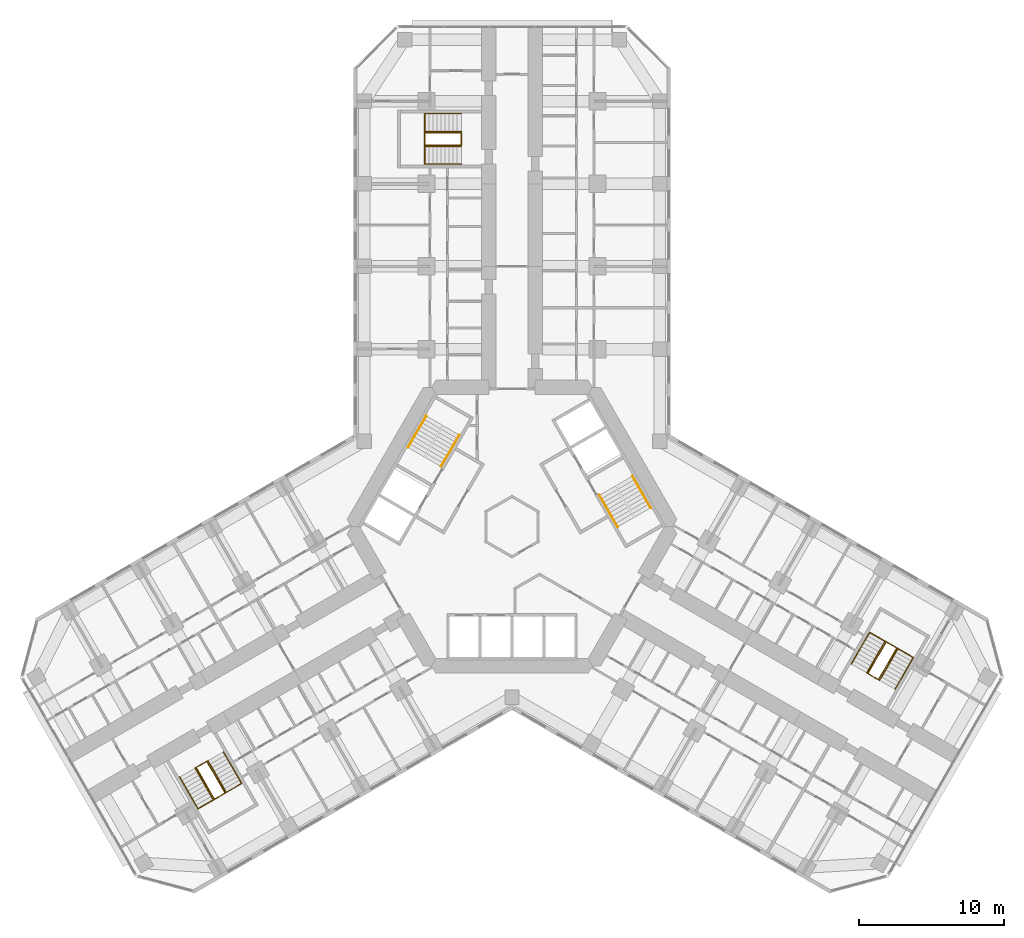
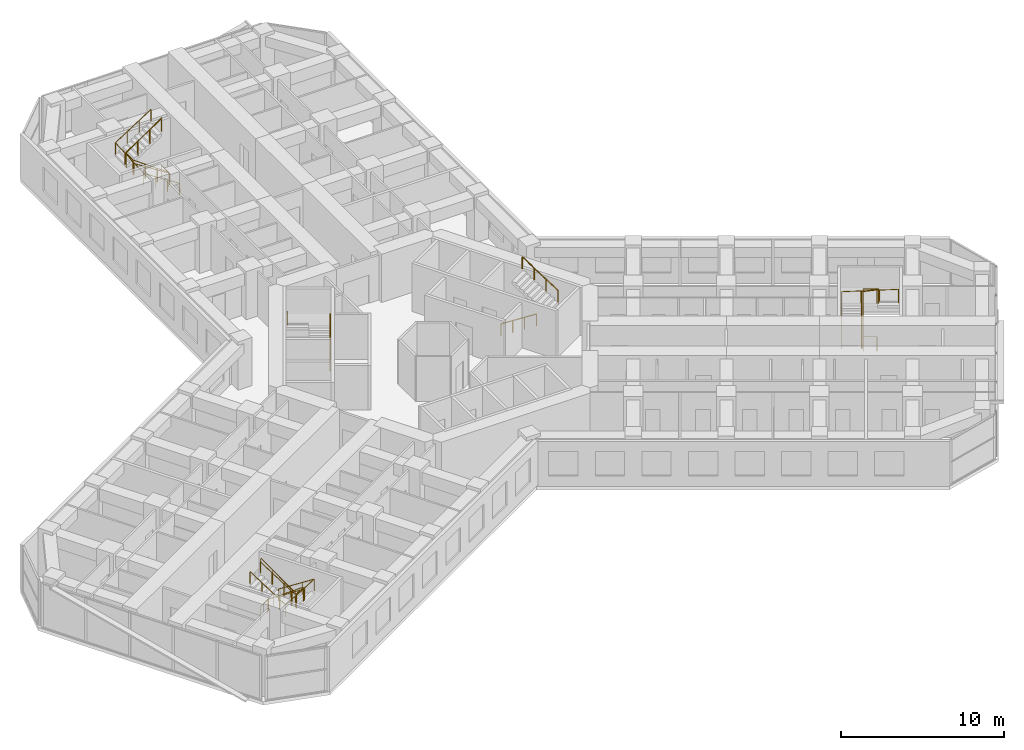
# One storey, part 21 of 21: 13 railings.
"""IFC4 building model written with IfcOpenShell, lengths in metres."""

from ifc_helpers import new_model, si_unit, direction, frame, origin, origin_2d, place, context, subcontext, project, spatial, circle, extrude, material, type_object, element, save


model = new_model("IFC4")

# Units and contexts
model_context = context("Model", 3, precision=1e-05, world=origin(), true_north=direction((0.0, 1.0)))
body_context = subcontext(model_context, "Body", "Model", "MODEL_VIEW")
ifc_project = project(units=[si_unit("LENGTHUNIT", "METRE"), si_unit("AREAUNIT", "SQUARE_METRE"), si_unit("VOLUMEUNIT", "CUBIC_METRE"), si_unit("PLANEANGLEUNIT", "RADIAN"), si_unit("MASSUNIT", "GRAM", prefix="KILO")], contexts=[model_context])

# Site, building, storey
site_placement = place(None, origin())
site = spatial("IfcSite", under=ifc_project, at=site_placement, CompositionType="ELEMENT")
building_placement = place(site_placement, origin())
building = spatial("IfcBuilding", under=site, at=building_placement, Name="Kosmar Iwan School Tower", CompositionType="ELEMENT")
storey_placement = place(building_placement, frame((0.0, 0.0, 57.39990234375)))
storey = spatial("IfcBuildingStorey", under=building, at=storey_placement, Name="L13", CompositionType="ELEMENT", Elevation=57.39990234375)

# Railings
ifc_material_1 = material(Name="Black steel", Category="steel")
railing_type_1 = type_object("IfcRailingType", Name="Stair handrail 900", PredefinedType="HANDRAIL", material=ifc_material_1)
railing_1_placement = place(storey_placement, frame((-4.89453125, 4.142333984375, 0.18017578125)))
element("IfcRailing", 1, at=railing_1_placement, inside=storey, type_object=railing_type_1, Name="Handrail ST2 flight 1", PredefinedType="HANDRAIL", context=body_context, shape_type="SweptSolid", body=[
    extrude(circle(Radius=0.02392578125, at=origin_2d()), frame((0.0, 0.0, 0.8759765625), z_axis=(0.42060268101, 0.72849590497, 0.54072830624), x_axis=(-0.866022637375, 0.500004791531, 0.0)), (0.0, 0.0, 1.0), 2.99560546875),
    extrude(circle(Radius=0.02099609375, at=origin_2d()), origin(), (0.0, 0.0, 1.0), 0.851806640625),
    extrude(circle(Radius=0.02099609375, at=origin_2d()), frame((0.419921875, 0.7275390625, 0.5400390625)), (0.0, 0.0, 1.0), 0.851806640625),
    extrude(circle(Radius=0.02099609375, at=origin_2d()), frame((0.840087890625, 1.454833984375, 1.079833984375)), (0.0, 0.0, 1.0), 0.851806640625),
    extrude(circle(Radius=0.02099609375, at=origin_2d()), frame((1.260009765625, 2.182373046875, 1.619873046875)), (0.0, 0.0, 1.0), 0.851806640625),
])
railing_2_placement = place(storey_placement, frame((-5.912353515625, 7.6396484375, 1.97998046875)))
element("IfcRailing", 2, at=railing_2_placement, inside=storey, type_object=railing_type_1, Name="Handrail ST2 flight 2", PredefinedType="HANDRAIL", context=body_context, shape_type="SweptSolid", body=[
    extrude(circle(Radius=0.02392578125, at=origin_2d()), frame((0.0, 0.0, 0.8759765625), z_axis=(-0.420584145978, -0.728463801763, 0.540785970299), x_axis=(0.866022637375, -0.500004791531, 0.0)), (0.0, 0.0, 1.0), 2.995849609375),
    extrude(circle(Radius=0.02099609375, at=origin_2d()), origin(), (0.0, 0.0, 1.0), 0.851806640625),
    extrude(circle(Radius=0.02099609375, at=origin_2d()), frame((-0.419921875, -0.7275390625, 0.5400390625)), (0.0, 0.0, 1.0), 0.851806640625),
    extrude(circle(Radius=0.02099609375, at=origin_2d()), frame((-0.840087890625, -1.454833984375, 1.080078125)), (0.0, 0.0, 1.0), 0.851806640625),
    extrude(circle(Radius=0.02099609375, at=origin_2d()), frame((-1.260009765625, -2.182373046875, 1.6201171875)), (0.0, 0.0, 1.0), 0.851806640625),
])
railing_3_placement = place(storey_placement, frame((6.03466796875, 2.167724609375, 0.18017578125)))
element("IfcRailing", 3, at=railing_3_placement, inside=storey, type_object=railing_type_1, Name="Handrail ST1 flight 1", PredefinedType="HANDRAIL", context=body_context, shape_type="SweptSolid", body=[
    extrude(circle(Radius=0.02392578125, at=origin_2d()), frame((0.0, 0.0, 0.8759765625), z_axis=(0.42060268101, -0.72849590497, 0.54072830624), x_axis=(0.866022637375, 0.500004791531, 0.0)), (0.0, 0.0, 1.0), 2.99560546875),
    extrude(circle(Radius=0.02099609375, at=origin_2d()), origin(), (0.0, 0.0, 1.0), 0.851806640625),
    extrude(circle(Radius=0.02099609375, at=origin_2d()), frame((0.419921875, -0.7275390625, 0.5400390625)), (0.0, 0.0, 1.0), 0.851806640625),
    extrude(circle(Radius=0.02099609375, at=origin_2d()), frame((0.840087890625, -1.454833984375, 1.079833984375)), (0.0, 0.0, 1.0), 0.851806640625),
    extrude(circle(Radius=0.02099609375, at=origin_2d()), frame((1.260009765625, -2.182373046875, 1.619873046875)), (0.0, 0.0, 1.0), 0.851806640625),
])
railing_4_placement = place(storey_placement, frame((9.572265625, 1.30029296875, 1.97998046875)))
element("IfcRailing", 4, at=railing_4_placement, inside=storey, type_object=railing_type_1, Name="Handrail ST1 flight 2", PredefinedType="HANDRAIL", context=body_context, shape_type="SweptSolid", body=[
    extrude(circle(Radius=0.02392578125, at=origin_2d()), frame((0.0, 0.0, 0.8759765625), z_axis=(-0.420584145978, 0.728463801763, 0.540785970299), x_axis=(-0.866022637375, -0.500004791531, 0.0)), (0.0, 0.0, 1.0), 2.995849609375),
    extrude(circle(Radius=0.02099609375, at=origin_2d()), origin(), (0.0, 0.0, 1.0), 0.851806640625),
    extrude(circle(Radius=0.02099609375, at=origin_2d()), frame((-0.419921875, 0.7275390625, 0.5400390625)), (0.0, 0.0, 1.0), 0.851806640625),
    extrude(circle(Radius=0.02099609375, at=origin_2d()), frame((-0.840087890625, 1.454833984375, 1.080078125)), (0.0, 0.0, 1.0), 0.851806640625),
    extrude(circle(Radius=0.02099609375, at=origin_2d()), frame((-1.260009765625, 2.182373046875, 1.6201171875)), (0.0, 0.0, 1.0), 0.851806640625),
])
railing_5_placement = place(storey_placement, frame((-3.5, 25.010009765625, 0.18017578125)))
element("IfcRailing", 5, at=railing_5_placement, inside=storey, type_object=railing_type_1, Name="Handrail stair WS1 L13 wall side", PredefinedType="HANDRAIL", context=body_context, shape_type="SweptSolid", body=[
    extrude(circle(Radius=0.02392578125, at=origin_2d()), frame((0.0, 0.0, 0.8759765625), z_axis=(-0.841199657755, 0.0, 0.540724639528), x_axis=(0.0, -1.0, 0.0)), (0.0, 0.0, 1.0), 2.995849609375),
    extrude(circle(Radius=0.02392578125, at=origin_2d()), frame((-2.52001953125, 0.0, 2.49560546875), z_axis=(0.0, 0.998665981786, 0.051635809497), x_axis=(-1.0, 0.0, 0.0)), (0.0, 0.0, 1.0), 3.484619140625),
    extrude(circle(Radius=0.02392578125, at=origin_2d()), frame((-2.52001953125, 3.47998046875, 2.67578125), z_axis=(0.841162588446, 0.0, 0.540782303519), x_axis=(0.0, 1.0, 0.0)), (0.0, 0.0, 1.0), 2.995849609375),
    extrude(circle(Radius=0.02099609375, at=origin_2d()), origin(), (0.0, 0.0, 1.0), 0.851806640625),
    extrude(circle(Radius=0.02099609375, at=origin_2d()), frame((-0.840087890625, 0.0, 0.5400390625)), (0.0, 0.0, 1.0), 0.851806640625),
    extrude(circle(Radius=0.02099609375, at=origin_2d()), frame((-1.679931640625, 0.0, 1.079833984375)), (0.0, 0.0, 1.0), 0.851806640625),
    extrude(circle(Radius=0.02099609375, at=origin_2d()), frame((-2.52001953125, 0.0, 1.619873046875)), (0.0, 0.0, 1.0), 0.851806640625),
    extrude(circle(Radius=0.02099609375, at=origin_2d()), frame((-2.52001953125, 1.159912109375, 1.679931640625)), (0.0, 0.0, 1.0), 0.851806640625),
    extrude(circle(Radius=0.02099609375, at=origin_2d()), frame((-2.52001953125, 2.320068359375, 1.73974609375)), (0.0, 0.0, 1.0), 0.851806640625),
    extrude(circle(Radius=0.02099609375, at=origin_2d()), frame((-2.52001953125, 3.47998046875, 1.7998046875)), (0.0, 0.0, 1.0), 0.851806640625),
    extrude(circle(Radius=0.02099609375, at=origin_2d()), frame((-1.679931640625, 3.47998046875, 2.33984375)), (0.0, 0.0, 1.0), 0.851806640625),
    extrude(circle(Radius=0.02099609375, at=origin_2d()), frame((-0.840087890625, 3.47998046875, 2.8798828125)), (0.0, 0.0, 1.0), 0.851806640625),
    extrude(circle(Radius=0.02099609375, at=origin_2d()), frame((0.0, 3.47998046875, 3.419921875)), (0.0, 0.0, 1.0), 0.851806640625),
])
railing_6_placement = place(storey_placement, frame((-3.5, 26.239990234375, 0.18017578125)))
element("IfcRailing", 6, at=railing_6_placement, inside=storey, type_object=railing_type_1, Name="Handrail stair WS1 L13 well side", PredefinedType="HANDRAIL", context=body_context, shape_type="SweptSolid", body=[
    extrude(circle(Radius=0.02392578125, at=origin_2d()), frame((0.0, 0.0, 0.8759765625), z_axis=(-0.841199657755, 0.0, 0.540724639528), x_axis=(0.0, -1.0, 0.0)), (0.0, 0.0, 1.0), 2.995849609375),
    extrude(circle(Radius=0.02392578125, at=origin_2d()), frame((-2.52001953125, 0.0, 2.49560546875), z_axis=(0.0, 0.984795421109, 0.173718100851), x_axis=(-1.0, 0.0, 0.0)), (0.0, 0.0, 1.0), 1.035888671875),
    extrude(circle(Radius=0.02392578125, at=origin_2d()), frame((-2.52001953125, 1.02001953125, 2.67578125), z_axis=(0.841162588446, 0.0, 0.540782303519), x_axis=(0.0, 1.0, 0.0)), (0.0, 0.0, 1.0), 2.995849609375),
    extrude(circle(Radius=0.02099609375, at=origin_2d()), origin(), (0.0, 0.0, 1.0), 0.851806640625),
    extrude(circle(Radius=0.02099609375, at=origin_2d()), frame((-0.840087890625, 0.0, 0.5400390625)), (0.0, 0.0, 1.0), 0.851806640625),
    extrude(circle(Radius=0.02099609375, at=origin_2d()), frame((-1.679931640625, 0.0, 1.079833984375)), (0.0, 0.0, 1.0), 0.851806640625),
    extrude(circle(Radius=0.02099609375, at=origin_2d()), frame((-2.52001953125, 0.0, 1.619873046875)), (0.0, 0.0, 1.0), 0.851806640625),
    extrude(circle(Radius=0.02099609375, at=origin_2d()), frame((-2.52001953125, 1.02001953125, 1.7998046875)), (0.0, 0.0, 1.0), 0.851806640625),
    extrude(circle(Radius=0.02099609375, at=origin_2d()), frame((-1.679931640625, 1.02001953125, 2.33984375)), (0.0, 0.0, 1.0), 0.851806640625),
    extrude(circle(Radius=0.02099609375, at=origin_2d()), frame((-0.840087890625, 1.02001953125, 2.8798828125)), (0.0, 0.0, 1.0), 0.851806640625),
    extrude(circle(Radius=0.02099609375, at=origin_2d()), frame((0.0, 1.02001953125, 3.419921875)), (0.0, 0.0, 1.0), 0.851806640625),
])
railing_7_placement = place(storey_placement, frame((-19.9091796875, -15.5361328125, 0.18017578125)))
element("IfcRailing", 7, at=railing_7_placement, inside=storey, type_object=railing_type_1, Name="Handrail stair WS2 L13 wall side", PredefinedType="HANDRAIL", context=body_context, shape_type="SweptSolid", body=[
    extrude(circle(Radius=0.02392578125, at=origin_2d()), frame((0.0, 0.0, 0.8759765625), z_axis=(0.420535598452, -0.728520874915, 0.540746840257), x_axis=(0.866064587494, 0.499932125682, 0.0)), (0.0, 0.0, 1.0), 2.99560546875),
    extrude(circle(Radius=0.02392578125, at=origin_2d()), frame((1.259765625, -2.182373046875, 2.49560546875), z_axis=(-0.864864352349, -0.499342858003, 0.051636829851), x_axis=(0.500009906705, -0.86601968407, 0.0)), (0.0, 0.0, 1.0), 3.484619140625),
    extrude(circle(Radius=0.02392578125, at=origin_2d()), frame((-1.75390625, -3.92236328125, 2.67578125), z_axis=(-0.420584145978, 0.728463801763, 0.540785970299), x_axis=(-0.866022637375, -0.500004791531, 0.0)), (0.0, 0.0, 1.0), 2.995849609375),
    extrude(circle(Radius=0.02099609375, at=origin_2d()), origin(), (0.0, 0.0, 1.0), 0.851806640625),
    extrude(circle(Radius=0.02099609375, at=origin_2d()), frame((0.419921875, -0.7275390625, 0.5400390625)), (0.0, 0.0, 1.0), 0.851806640625),
    extrude(circle(Radius=0.02099609375, at=origin_2d()), frame((0.83984375, -1.454833984375, 1.079833984375)), (0.0, 0.0, 1.0), 0.851806640625),
    extrude(circle(Radius=0.02099609375, at=origin_2d()), frame((1.259765625, -2.182373046875, 1.619873046875)), (0.0, 0.0, 1.0), 0.851806640625),
    extrude(circle(Radius=0.02099609375, at=origin_2d()), frame((0.255126953125, -2.762451171875, 1.679931640625)), (0.0, 0.0, 1.0), 0.851806640625),
    extrude(circle(Radius=0.02099609375, at=origin_2d()), frame((-0.749267578125, -3.34228515625, 1.73974609375)), (0.0, 0.0, 1.0), 0.851806640625),
    extrude(circle(Radius=0.02099609375, at=origin_2d()), frame((-1.75390625, -3.92236328125, 1.7998046875)), (0.0, 0.0, 1.0), 0.851806640625),
    extrude(circle(Radius=0.02099609375, at=origin_2d()), frame((-2.173828125, -3.19482421875, 2.33984375)), (0.0, 0.0, 1.0), 0.851806640625),
    extrude(circle(Radius=0.02099609375, at=origin_2d()), frame((-2.593994140625, -2.467529296875, 2.8798828125)), (0.0, 0.0, 1.0), 0.851806640625),
    extrude(circle(Radius=0.02099609375, at=origin_2d()), frame((-3.013916015625, -1.739990234375, 3.419921875)), (0.0, 0.0, 1.0), 0.851806640625),
])
railing_8_placement = place(storey_placement, frame((-20.974609375, -16.151123046875, 0.18017578125)))
element("IfcRailing", 8, at=railing_8_placement, inside=storey, type_object=railing_type_1, Name="Handrail stair WS2 L13 well side", PredefinedType="HANDRAIL", context=body_context, shape_type="SweptSolid", body=[
    extrude(circle(Radius=0.02392578125, at=origin_2d()), frame((0.0, 0.0, 0.8759765625), z_axis=(0.42060268101, -0.72849590497, 0.54072830624), x_axis=(0.866022637375, 0.500004791531, 0.0)), (0.0, 0.0, 1.0), 2.99560546875),
    extrude(circle(Radius=0.02392578125, at=origin_2d()), frame((1.260009765625, -2.182373046875, 2.49560546875), z_axis=(-0.852841519511, -0.492422867401, 0.173726976197), x_axis=(0.500026340207, -0.866010195725, 0.0)), (0.0, 0.0, 1.0), 1.03564453125),
    extrude(circle(Radius=0.02392578125, at=origin_2d()), frame((0.376708984375, -2.6923828125, 2.67578125), z_axis=(-0.420584145978, 0.728463801763, 0.540785970299), x_axis=(-0.866022637375, -0.500004791531, 0.0)), (0.0, 0.0, 1.0), 2.995849609375),
    extrude(circle(Radius=0.02099609375, at=origin_2d()), origin(), (0.0, 0.0, 1.0), 0.851806640625),
    extrude(circle(Radius=0.02099609375, at=origin_2d()), frame((0.419921875, -0.7275390625, 0.5400390625)), (0.0, 0.0, 1.0), 0.851806640625),
    extrude(circle(Radius=0.02099609375, at=origin_2d()), frame((0.840087890625, -1.454833984375, 1.079833984375)), (0.0, 0.0, 1.0), 0.851806640625),
    extrude(circle(Radius=0.02099609375, at=origin_2d()), frame((1.260009765625, -2.182373046875, 1.619873046875)), (0.0, 0.0, 1.0), 0.851806640625),
    extrude(circle(Radius=0.02099609375, at=origin_2d()), frame((0.376708984375, -2.6923828125, 1.7998046875)), (0.0, 0.0, 1.0), 0.851806640625),
    extrude(circle(Radius=0.02099609375, at=origin_2d()), frame((-0.043212890625, -1.96484375, 2.33984375)), (0.0, 0.0, 1.0), 0.851806640625),
    extrude(circle(Radius=0.02099609375, at=origin_2d()), frame((-0.46337890625, -1.237548828125, 2.8798828125)), (0.0, 0.0, 1.0), 0.851806640625),
    extrude(circle(Radius=0.02099609375, at=origin_2d()), frame((-0.88330078125, -0.510009765625, 3.419921875)), (0.0, 0.0, 1.0), 0.851806640625),
])
railing_9_placement = place(storey_placement, frame((23.4091796875, -9.473876953125, 0.18017578125)))
element("IfcRailing", 9, at=railing_9_placement, inside=storey, type_object=railing_type_1, Name="Handrail stair WS3 L13 wall side", PredefinedType="HANDRAIL", context=body_context, shape_type="SweptSolid", body=[
    extrude(circle(Radius=0.02392578125, at=origin_2d()), frame((0.0, 0.0, 0.8759765625), z_axis=(0.42060268101, 0.72849590497, 0.54072830624), x_axis=(-0.866022637375, 0.500004791531, 0.0)), (0.0, 0.0, 1.0), 2.99560546875),
    extrude(circle(Radius=0.02392578125, at=origin_2d()), frame((1.260009765625, 2.182373046875, 2.49560546875), z_axis=(0.864882007433, -0.499312601618, 0.051633701051), x_axis=(0.499979528911, 0.866037222451, 0.0)), (0.0, 0.0, 1.0), 3.48486328125),
    extrude(circle(Radius=0.02392578125, at=origin_2d()), frame((4.27392578125, 0.4423828125, 2.67578125), z_axis=(-0.420584145978, -0.728463801763, 0.540785970299), x_axis=(0.866022637375, -0.500004791531, 0.0)), (0.0, 0.0, 1.0), 2.995849609375),
    extrude(circle(Radius=0.02099609375, at=origin_2d()), origin(), (0.0, 0.0, 1.0), 0.851806640625),
    extrude(circle(Radius=0.02099609375, at=origin_2d()), frame((0.419921875, 0.7275390625, 0.5400390625)), (0.0, 0.0, 1.0), 0.851806640625),
    extrude(circle(Radius=0.02099609375, at=origin_2d()), frame((0.840087890625, 1.454833984375, 1.079833984375)), (0.0, 0.0, 1.0), 0.851806640625),
    extrude(circle(Radius=0.02099609375, at=origin_2d()), frame((1.260009765625, 2.182373046875, 1.619873046875)), (0.0, 0.0, 1.0), 0.851806640625),
    extrude(circle(Radius=0.02099609375, at=origin_2d()), frame((2.2646484375, 1.602294921875, 1.679931640625)), (0.0, 0.0, 1.0), 0.851806640625),
    extrude(circle(Radius=0.02099609375, at=origin_2d()), frame((3.269287109375, 1.0224609375, 1.73974609375)), (0.0, 0.0, 1.0), 0.851806640625),
    extrude(circle(Radius=0.02099609375, at=origin_2d()), frame((4.27392578125, 0.4423828125, 1.7998046875)), (0.0, 0.0, 1.0), 0.851806640625),
    extrude(circle(Radius=0.02099609375, at=origin_2d()), frame((3.85400390625, -0.28515625, 2.33984375)), (0.0, 0.0, 1.0), 0.851806640625),
    extrude(circle(Radius=0.02099609375, at=origin_2d()), frame((3.433837890625, -1.012451171875, 2.8798828125)), (0.0, 0.0, 1.0), 0.851806640625),
    extrude(circle(Radius=0.02099609375, at=origin_2d()), frame((3.013916015625, -1.739990234375, 3.419921875)), (0.0, 0.0, 1.0), 0.851806640625),
])
railing_10_placement = place(storey_placement, frame((24.474609375, -10.0888671875, 0.18017578125)))
element("IfcRailing", 10, at=railing_10_placement, inside=storey, type_object=railing_type_1, Name="Handrail stair WS3 L13 well side", PredefinedType="HANDRAIL", context=body_context, shape_type="SweptSolid", body=[
    extrude(circle(Radius=0.02392578125, at=origin_2d()), frame((0.0, 0.0, 0.8759765625), z_axis=(0.42060268101, 0.72849590497, 0.54072830624), x_axis=(-0.866022637375, 0.500004791531, 0.0)), (0.0, 0.0, 1.0), 2.99560546875),
    extrude(circle(Radius=0.02392578125, at=origin_2d()), frame((1.260009765625, 2.182373046875, 2.49560546875), z_axis=(0.852841519511, -0.492422867401, 0.173726976197), x_axis=(0.500026340207, 0.866010195725, 0.0)), (0.0, 0.0, 1.0), 1.03564453125),
    extrude(circle(Radius=0.02392578125, at=origin_2d()), frame((2.143310546875, 1.67236328125, 2.67578125), z_axis=(-0.420584145978, -0.728463801763, 0.540785970299), x_axis=(0.866022637375, -0.500004791531, 0.0)), (0.0, 0.0, 1.0), 2.995849609375),
    extrude(circle(Radius=0.02099609375, at=origin_2d()), origin(), (0.0, 0.0, 1.0), 0.851806640625),
    extrude(circle(Radius=0.02099609375, at=origin_2d()), frame((0.419921875, 0.7275390625, 0.5400390625)), (0.0, 0.0, 1.0), 0.851806640625),
    extrude(circle(Radius=0.02099609375, at=origin_2d()), frame((0.840087890625, 1.454833984375, 1.079833984375)), (0.0, 0.0, 1.0), 0.851806640625),
    extrude(circle(Radius=0.02099609375, at=origin_2d()), frame((1.260009765625, 2.182373046875, 1.619873046875)), (0.0, 0.0, 1.0), 0.851806640625),
    extrude(circle(Radius=0.02099609375, at=origin_2d()), frame((2.143310546875, 1.67236328125, 1.7998046875)), (0.0, 0.0, 1.0), 0.851806640625),
    extrude(circle(Radius=0.02099609375, at=origin_2d()), frame((1.723388671875, 0.94482421875, 2.33984375)), (0.0, 0.0, 1.0), 0.851806640625),
    extrude(circle(Radius=0.02099609375, at=origin_2d()), frame((1.30322265625, 0.217529296875, 2.8798828125)), (0.0, 0.0, 1.0), 0.851806640625),
    extrude(circle(Radius=0.02099609375, at=origin_2d()), frame((0.88330078125, -0.510009765625, 3.419921875)), (0.0, 0.0, 1.0), 0.851806640625),
])
ifc_material_2 = material(Name="Black steel", Category="steel")
railing_type_2 = type_object("IfcRailingType", Name="Stair well guard 1100", PredefinedType="GUARDRAIL", material=ifc_material_2)
railing_11_placement = place(storey_placement, frame((-3.5, 27.169921875, 0.0)))
element("IfcRailing", 11, at=railing_11_placement, inside=storey, type_object=railing_type_2, Name="Stair WS1 L13 well guard", PredefinedType="GUARDRAIL", context=body_context, shape_type="SweptSolid", body=[
    extrude(circle(Radius=0.02392578125, at=origin_2d()), frame((0.0, 0.0, 1.076171875), z_axis=(0.0, -1.0, 0.0), x_axis=(1.0, 0.0, 0.0)), (0.0, 0.0, 1.0), 0.83984375),
    extrude(circle(Radius=0.02392578125, at=origin_2d()), frame((0.0, -0.83984375, 1.076171875), z_axis=(-0.813728144527, 0.0, 0.581245650998), x_axis=(0.0, -1.0, 0.0)), (0.0, 0.0, 1.0), 3.096923828125),
    extrude(circle(Radius=0.02392578125, at=origin_2d()), frame((-2.52001953125, -0.83984375, 2.8759765625), z_axis=(0.0, 1.0, 0.0), x_axis=(-1.0, 0.0, 0.0)), (0.0, 0.0, 1.0), 0.83984375),
    extrude(circle(Radius=0.02392578125, at=origin_2d()), frame((-2.52001953125, 0.0, 2.8759765625), z_axis=(0.813728144527, 0.0, 0.581245650998), x_axis=(0.0, 1.0, 0.0)), (0.0, 0.0, 1.0), 3.096923828125),
    extrude(circle(Radius=0.02099609375, at=origin_2d()), origin(), (0.0, 0.0, 1.0), 1.052001953125),
    extrude(circle(Radius=0.02099609375, at=origin_2d()), frame((0.0, -0.83984375, 0.0)), (0.0, 0.0, 1.0), 1.052001953125),
    extrude(circle(Radius=0.02099609375, at=origin_2d()), frame((-0.840087890625, -0.83984375, 0.60009765625)), (0.0, 0.0, 1.0), 1.052001953125),
    extrude(circle(Radius=0.02099609375, at=origin_2d()), frame((-1.679931640625, -0.83984375, 1.199951171875)), (0.0, 0.0, 1.0), 1.052001953125),
    extrude(circle(Radius=0.02099609375, at=origin_2d()), frame((-2.52001953125, -0.83984375, 1.800048828125)), (0.0, 0.0, 1.0), 1.052001953125),
    extrude(circle(Radius=0.02099609375, at=origin_2d()), frame((-2.52001953125, 0.0, 1.800048828125)), (0.0, 0.0, 1.0), 1.052001953125),
    extrude(circle(Radius=0.02099609375, at=origin_2d()), frame((-1.679931640625, 0.0, 2.400146484375)), (0.0, 0.0, 1.0), 1.052001953125),
    extrude(circle(Radius=0.02099609375, at=origin_2d()), frame((-0.840087890625, 0.0, 3.0)), (0.0, 0.0, 1.0), 1.052001953125),
    extrude(circle(Radius=0.02099609375, at=origin_2d()), frame((0.0, 0.0, 3.60009765625)), (0.0, 0.0, 1.0), 1.052001953125),
])
railing_12_placement = place(storey_placement, frame((-21.780029296875, -16.6162109375, 0.0)))
element("IfcRailing", 12, at=railing_12_placement, inside=storey, type_object=railing_type_2, Name="Stair WS2 L13 well guard", PredefinedType="GUARDRAIL", context=body_context, shape_type="SweptSolid", body=[
    extrude(circle(Radius=0.02392578125, at=origin_2d()), frame((0.0, 0.0, 1.076171875), z_axis=(0.865962960534, 0.500108139288, 0.0), x_axis=(-0.500108139288, 0.865962960534, 0.0)), (0.0, 0.0, 1.0), 0.840087890625),
    extrude(circle(Radius=0.02392578125, at=origin_2d()), frame((0.7275390625, 0.420166015625, 1.076171875), z_axis=(0.40686665399, -0.704704712268, 0.58124933925), x_axis=(0.866022637375, 0.500004791531, 0.0)), (0.0, 0.0, 1.0), 3.096923828125),
    extrude(circle(Radius=0.02392578125, at=origin_2d()), frame((1.987548828125, -1.76220703125, 2.8759765625), z_axis=(-0.865962960534, -0.500108139288, 0.0), x_axis=(0.500108139288, -0.865962960534, 0.0)), (0.0, 0.0, 1.0), 0.840087890625),
    extrude(circle(Radius=0.02392578125, at=origin_2d()), frame((1.260009765625, -2.182373046875, 2.8759765625), z_axis=(-0.40686665399, 0.704704712268, 0.58124933925), x_axis=(-0.866022637375, -0.500004791531, 0.0)), (0.0, 0.0, 1.0), 3.096923828125),
    extrude(circle(Radius=0.02099609375, at=origin_2d()), origin(), (0.0, 0.0, 1.0), 1.052001953125),
    extrude(circle(Radius=0.02099609375, at=origin_2d()), frame((0.7275390625, 0.420166015625, 0.0)), (0.0, 0.0, 1.0), 1.052001953125),
    extrude(circle(Radius=0.02099609375, at=origin_2d()), frame((1.1474609375, -0.307373046875, 0.60009765625)), (0.0, 0.0, 1.0), 1.052001953125),
    extrude(circle(Radius=0.02099609375, at=origin_2d()), frame((1.567626953125, -1.03466796875, 1.199951171875)), (0.0, 0.0, 1.0), 1.052001953125),
    extrude(circle(Radius=0.02099609375, at=origin_2d()), frame((1.987548828125, -1.76220703125, 1.800048828125)), (0.0, 0.0, 1.0), 1.052001953125),
    extrude(circle(Radius=0.02099609375, at=origin_2d()), frame((1.260009765625, -2.182373046875, 1.800048828125)), (0.0, 0.0, 1.0), 1.052001953125),
    extrude(circle(Radius=0.02099609375, at=origin_2d()), frame((0.840087890625, -1.454833984375, 2.400146484375)), (0.0, 0.0, 1.0), 1.052001953125),
    extrude(circle(Radius=0.02099609375, at=origin_2d()), frame((0.419921875, -0.7275390625, 3.0)), (0.0, 0.0, 1.0), 1.052001953125),
    extrude(circle(Radius=0.02099609375, at=origin_2d()), frame((0.0, 0.0, 3.60009765625)), (0.0, 0.0, 1.0), 1.052001953125),
])
railing_13_placement = place(storey_placement, frame((25.280029296875, -10.553955078125, 0.0)))
element("IfcRailing", 13, at=railing_13_placement, inside=storey, type_object=railing_type_2, Name="Stair WS3 L13 well guard", PredefinedType="GUARDRAIL", context=body_context, shape_type="SweptSolid", body=[
    extrude(circle(Radius=0.02392578125, at=origin_2d()), frame((0.0, 0.0, 1.076171875), z_axis=(-0.865962960534, 0.500108139288, 0.0), x_axis=(-0.500108139288, -0.865962960534, 0.0)), (0.0, 0.0, 1.0), 0.840087890625),
    extrude(circle(Radius=0.02392578125, at=origin_2d()), frame((-0.7275390625, 0.420166015625, 1.076171875), z_axis=(0.40686665399, 0.704704712268, 0.58124933925), x_axis=(-0.866022637375, 0.500004791531, 0.0)), (0.0, 0.0, 1.0), 3.096923828125),
    extrude(circle(Radius=0.02392578125, at=origin_2d()), frame((0.532470703125, 2.6025390625, 2.8759765625), z_axis=(0.865890253765, -0.500234013672, 0.0), x_axis=(0.500234013672, 0.865890253765, 0.0)), (0.0, 0.0, 1.0), 0.83984375),
    extrude(circle(Radius=0.02392578125, at=origin_2d()), frame((1.259765625, 2.182373046875, 2.8759765625), z_axis=(-0.406800866334, -0.70472731476, 0.58126798207), x_axis=(0.866064587494, -0.499932125682, 0.0)), (0.0, 0.0, 1.0), 3.0966796875),
    extrude(circle(Radius=0.02099609375, at=origin_2d()), origin(), (0.0, 0.0, 1.0), 1.052001953125),
    extrude(circle(Radius=0.02099609375, at=origin_2d()), frame((-0.7275390625, 0.420166015625, 0.0)), (0.0, 0.0, 1.0), 1.052001953125),
    extrude(circle(Radius=0.02099609375, at=origin_2d()), frame((-0.3076171875, 1.147705078125, 0.60009765625)), (0.0, 0.0, 1.0), 1.052001953125),
    extrude(circle(Radius=0.02099609375, at=origin_2d()), frame((0.112548828125, 1.875, 1.199951171875)), (0.0, 0.0, 1.0), 1.052001953125),
    extrude(circle(Radius=0.02099609375, at=origin_2d()), frame((0.532470703125, 2.6025390625, 1.800048828125)), (0.0, 0.0, 1.0), 1.052001953125),
    extrude(circle(Radius=0.02099609375, at=origin_2d()), frame((1.259765625, 2.182373046875, 1.800048828125)), (0.0, 0.0, 1.0), 1.052001953125),
    extrude(circle(Radius=0.02099609375, at=origin_2d()), frame((0.83984375, 1.454833984375, 2.400146484375)), (0.0, 0.0, 1.0), 1.052001953125),
    extrude(circle(Radius=0.02099609375, at=origin_2d()), frame((0.419921875, 0.7275390625, 3.0)), (0.0, 0.0, 1.0), 1.052001953125),
    extrude(circle(Radius=0.02099609375, at=origin_2d()), frame((0.0, 0.0, 3.60009765625)), (0.0, 0.0, 1.0), 1.052001953125),
])

save(model, "model.ifc")
